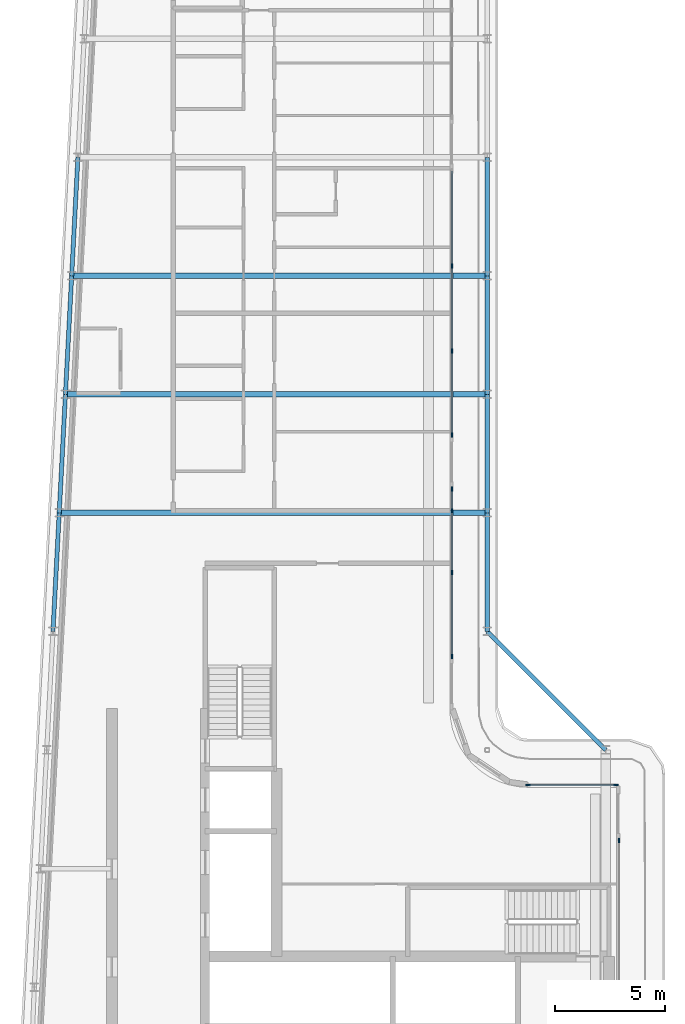
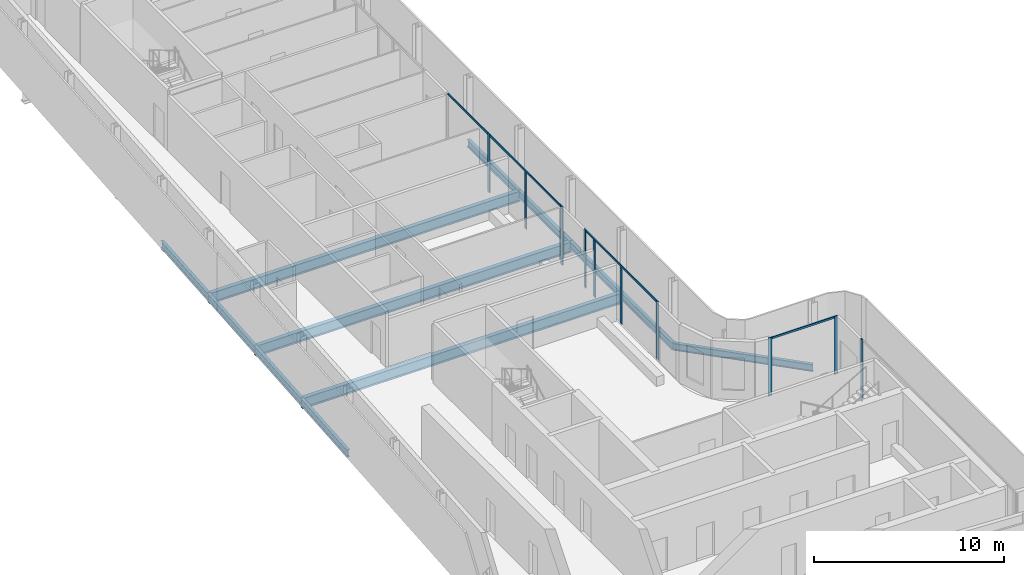
# One storey, part 5 of 18: 14 members, 12 beams, 5 elements without a shape of their own.
"""IFC4 building model written with IfcOpenShell, lengths in metres."""

from ifc_helpers import new_model, si_unit, direction, frame, origin, origin_2d, place, context, subcontext, project, spatial, rectangle, i_section, extrude, material, layer, layer_set, material_profile, profile_set, type_object, element, aggregate, save


model = new_model("IFC4")

# Units and contexts
model_context = context("Model", 3, precision=1e-05, world=origin(), true_north=direction((0.0, 1.0)))
body_context = subcontext(model_context, "Body", "Model", "MODEL_VIEW")
ifc_project = project(units=[si_unit("LENGTHUNIT", "METRE"), si_unit("AREAUNIT", "SQUARE_METRE"), si_unit("VOLUMEUNIT", "CUBIC_METRE"), si_unit("PLANEANGLEUNIT", "RADIAN"), si_unit("MASSUNIT", "GRAM", prefix="KILO")], contexts=[model_context])

# Site, building, storey
site_placement = place(None, origin())
site = spatial("IfcSite", under=ifc_project, at=site_placement, CompositionType="ELEMENT")
building_placement = place(site_placement, origin())
building = spatial("IfcBuilding", under=site, at=building_placement, Name="Kheshtan School and Residences Tower", CompositionType="ELEMENT")
storey_placement = place(building_placement, frame((0.0, 0.0, 361.699951171875)))
storey = spatial("IfcBuildingStorey", under=building, at=storey_placement, Name="L85", CompositionType="ELEMENT", Elevation=361.699951171875)

# Beams
ifc_material_1 = material(Name="Steel ASTM A992 Grade 50", Category="steel")
ifc_material_profile_1 = material_profile(ifc_material_1, i_section(OverallWidth=0.2529296875, OverallDepth=0.677978515625, WebThickness=0.01171875, FlangeThickness=0.016357421875, FilletRadius=0.0146484375, at=origin_2d()), Name="W690x125")
ifc_profile_set_1 = profile_set([ifc_material_profile_1], Name="Steel ASTM A992 Grade 50")
beam_type_1 = type_object("IfcBeamType", Name="Beam FB6 W690x125 ASTM A992 Grade 50", PredefinedType="BEAM", material=ifc_profile_set_1)
beam_1_placement = place(storey_placement, frame((47.60009765625, 67.199951171875, -0.489013671875), z_axis=(-1.0, 0.0, 0.0), x_axis=(0.0, -1.0, 0.0)))
element("IfcBeam", 1, at=beam_1_placement, inside=storey, type_object=beam_type_1, Name="Floor beam C085", PredefinedType="BEAM", context=body_context, shape_type="SweptSolid", body=[
    extrude(i_section(OverallWidth=0.2529296875, OverallDepth=0.677978515625, WebThickness=0.01171875, FlangeThickness=0.016357421875, FilletRadius=0.0146484375, at=origin_2d()), origin(), (0.0, 0.0, 1.0), 18.926025390625),
])
beam_2_placement = place(storey_placement, frame((47.60009765625, 56.39990234375, -0.489013671875), z_axis=(-1.0, 0.0, 0.0), x_axis=(0.0, -1.0, 0.0)))
element("IfcBeam", 2, at=beam_2_placement, inside=storey, type_object=beam_type_1, Name="Floor beam C081", PredefinedType="BEAM", context=body_context, shape_type="SweptSolid", body=[
    extrude(i_section(OverallWidth=0.2529296875, OverallDepth=0.677978515625, WebThickness=0.01171875, FlangeThickness=0.016357421875, FilletRadius=0.0146484375, at=origin_2d()), origin(), (0.0, 0.0, 1.0), 19.494140625),
])
beam_3_placement = place(storey_placement, frame((28.389892578125, 61.800048828125, -0.489013671875), z_axis=(1.0, 0.0, 0.0), x_axis=(0.0, 1.0, 0.0)))
element("IfcBeam", 3, at=beam_3_placement, inside=storey, type_object=beam_type_1, Name="Floor beam C082", PredefinedType="BEAM", context=body_context, shape_type="SweptSolid", body=[
    extrude(i_section(OverallWidth=0.2529296875, OverallDepth=0.677978515625, WebThickness=0.01171875, FlangeThickness=0.016357421875, FilletRadius=0.0146484375, at=origin_2d()), origin(), (0.0, 0.0, 1.0), 19.210205078125),
])
ifc_material_profile_2 = material_profile(ifc_material_1, i_section(OverallWidth=0.18994140625, OverallDepth=0.45703125, WebThickness=0.009033203125, FlangeThickness=0.014404296875, FilletRadius=0.01318359375, at=origin_2d()), Name="W460x74")
ifc_profile_set_2 = profile_set([ifc_material_profile_2], Name="Steel ASTM A992 Grade 50")
beam_type_2 = type_object("IfcBeamType", Name="Beam SP4 W460x74 ASTM A992 Grade 50", PredefinedType="BEAM", material=ifc_profile_set_2)
beam_4_placement = place(storey_placement, frame((47.60009765625, 72.60009765625, -0.37841796875), z_axis=(0.0, -1.0, 0.0), x_axis=(1.0, 0.0, 0.0)))
element("IfcBeam", 4, at=beam_4_placement, inside=storey, type_object=beam_type_2, Name="Spandrel beam C087-C085", PredefinedType="BEAM", context=body_context, shape_type="SweptSolid", body=[
    extrude(i_section(OverallWidth=0.18994140625, OverallDepth=0.45703125, WebThickness=0.009033203125, FlangeThickness=0.014404296875, FilletRadius=0.01318359375, at=origin_2d()), origin(), (0.0, 0.0, 1.0), 5.400146484375),
])
beam_5_placement = place(storey_placement, frame((47.60009765625, 67.199951171875, -0.37841796875), z_axis=(0.0, -1.0, 0.0), x_axis=(1.0, 0.0, 0.0)))
element("IfcBeam", 5, at=beam_5_placement, inside=storey, type_object=beam_type_2, Name="Spandrel beam C085-C083", PredefinedType="BEAM", context=body_context, shape_type="SweptSolid", body=[
    extrude(i_section(OverallWidth=0.18994140625, OverallDepth=0.45703125, WebThickness=0.009033203125, FlangeThickness=0.014404296875, FilletRadius=0.01318359375, at=origin_2d()), origin(), (0.0, 0.0, 1.0), 5.39990234375),
])
beam_6_placement = place(storey_placement, frame((47.60009765625, 61.800048828125, -0.37841796875), z_axis=(0.0, -1.0, 0.0), x_axis=(1.0, 0.0, 0.0)))
element("IfcBeam", 6, at=beam_6_placement, inside=storey, type_object=beam_type_2, Name="Spandrel beam C083-C081", PredefinedType="BEAM", context=body_context, shape_type="SweptSolid", body=[
    extrude(i_section(OverallWidth=0.18994140625, OverallDepth=0.45703125, WebThickness=0.009033203125, FlangeThickness=0.014404296875, FilletRadius=0.01318359375, at=origin_2d()), origin(), (0.0, 0.0, 1.0), 5.400146484375),
])
beam_7_placement = place(storey_placement, frame((47.60009765625, 56.39990234375, -0.37841796875), z_axis=(0.0, -1.0, 0.0), x_axis=(1.0, 0.0, 0.0)))
element("IfcBeam", 7, at=beam_7_placement, inside=storey, type_object=beam_type_2, Name="Spandrel beam C081-C079", PredefinedType="BEAM", context=body_context, shape_type="SweptSolid", body=[
    extrude(i_section(OverallWidth=0.18994140625, OverallDepth=0.45703125, WebThickness=0.009033203125, FlangeThickness=0.014404296875, FilletRadius=0.01318359375, at=origin_2d()), origin(), (0.0, 0.0, 1.0), 5.39990234375),
])
beam_8_placement = place(storey_placement, frame((47.60009765625, 51.0, -0.37841796875), z_axis=(0.707106781187, -0.707106781187, 0.0), x_axis=(0.707106781187, 0.707106781187, 0.0)))
element("IfcBeam", 8, at=beam_8_placement, inside=storey, type_object=beam_type_2, Name="Spandrel beam C079-C061", PredefinedType="BEAM", context=body_context, shape_type="SweptSolid", body=[
    extrude(i_section(OverallWidth=0.18994140625, OverallDepth=0.45703125, WebThickness=0.009033203125, FlangeThickness=0.014404296875, FilletRadius=0.01318359375, at=origin_2d()), origin(), (0.0, 0.0, 1.0), 7.63671875),
])
beam_9_placement = place(storey_placement, frame((27.822021484375, 51.0, -0.37841796875), z_axis=(0.05250906864, 0.998620447272, 0.0), x_axis=(-0.998620447272, 0.05250906864, 0.0)))
element("IfcBeam", 9, at=beam_9_placement, inside=storey, type_object=beam_type_2, Name="Spandrel beam C078-C080", PredefinedType="BEAM", context=body_context, shape_type="SweptSolid", body=[
    extrude(i_section(OverallWidth=0.18994140625, OverallDepth=0.45703125, WebThickness=0.009033203125, FlangeThickness=0.014404296875, FilletRadius=0.01318359375, at=origin_2d()), origin(), (0.0, 0.0, 1.0), 5.407470703125),
])
beam_10_placement = place(storey_placement, frame((28.10595703125, 56.39990234375, -0.37841796875), z_axis=(0.05250670125, 0.998620571751, 0.0), x_axis=(-0.998620571751, 0.05250670125, 0.0)))
element("IfcBeam", 10, at=beam_10_placement, inside=storey, type_object=beam_type_2, Name="Spandrel beam C080-C082", PredefinedType="BEAM", context=body_context, shape_type="SweptSolid", body=[
    extrude(i_section(OverallWidth=0.18994140625, OverallDepth=0.45703125, WebThickness=0.009033203125, FlangeThickness=0.014404296875, FilletRadius=0.01318359375, at=origin_2d()), origin(), (0.0, 0.0, 1.0), 5.40771484375),
])
beam_11_placement = place(storey_placement, frame((28.389892578125, 61.800048828125, -0.37841796875), z_axis=(0.052554093665, 0.998618078766, 0.0), x_axis=(-0.998618078766, 0.052554093665, 0.0)))
element("IfcBeam", 11, at=beam_11_placement, inside=storey, type_object=beam_type_2, Name="Spandrel beam C082-C084", PredefinedType="BEAM", context=body_context, shape_type="SweptSolid", body=[
    extrude(i_section(OverallWidth=0.18994140625, OverallDepth=0.45703125, WebThickness=0.009033203125, FlangeThickness=0.014404296875, FilletRadius=0.01318359375, at=origin_2d()), origin(), (0.0, 0.0, 1.0), 5.407470703125),
])
beam_12_placement = place(storey_placement, frame((28.674072265625, 67.199951171875, -0.37841796875), z_axis=(0.05250670125, 0.998620571751, 0.0), x_axis=(-0.998620571751, 0.05250670125, 0.0)))
element("IfcBeam", 12, at=beam_12_placement, inside=storey, type_object=beam_type_2, Name="Spandrel beam C084-C086", PredefinedType="BEAM", context=body_context, shape_type="SweptSolid", body=[
    extrude(i_section(OverallWidth=0.18994140625, OverallDepth=0.45703125, WebThickness=0.009033203125, FlangeThickness=0.014404296875, FilletRadius=0.01318359375, at=origin_2d()), origin(), (0.0, 0.0, 1.0), 5.40771484375),
])

# Curtain wall, members
ifc_material_2 = material(Name="Clear low-e glass in thermally broken aluminium frame", Category="aluminium")
ifc_layer_1 = layer(ifc_material_2, 0.199951171875)
ifc_layer_set_1 = layer_set([ifc_layer_1], Name="Curtain wall CW-B")
curtain_wall_type_1 = type_object("IfcCurtainWallType", Name="Curtain wall CW-B", PredefinedType="NOTDEFINED", material=ifc_layer_set_1)
curtain_wall_1_placement = place(storey_placement, origin())
curtain_wall_1 = element("IfcCurtainWall", 13, at=curtain_wall_1_placement, inside=storey, type_object=curtain_wall_type_1, Name="Curtain wall CWB12", PredefinedType="NOTDEFINED")
ifc_material_3 = material(Name="Thermally broken aluminium, dark bronze anodised", Category="aluminium")
ifc_material_profile_3 = material_profile(ifc_material_3, rectangle(XDim=0.06005859375, YDim=0.199951171875, at=origin_2d()), Name="CW-B mullion 60x200")
ifc_profile_set_3 = profile_set([ifc_material_profile_3], Name="Thermally broken aluminium, dark bronze anodised")
member_type_1 = type_object("IfcMemberType", Name="CW-B mullion 60x200", PredefinedType="MULLION", material=ifc_profile_set_3)
member_1_placement = place(storey_placement, frame((49.4599609375, 44.0, 0.0), z_axis=(0.0, 0.0, 1.0), x_axis=(0.0, 1.0, 0.0)))
member_1 = element("IfcMember", 14, at=member_1_placement, type_object=member_type_1, Name="CWB12 mullion 1", PredefinedType="MULLION", context=body_context, shape_type="SweptSolid", body=[
    extrude(rectangle(XDim=0.06005859375, YDim=0.199951171875, at=origin_2d()), origin(), (0.0, 0.0, 1.0), 3.75),
])
member_2_placement = place(storey_placement, frame((53.469970703125, 44.0, 0.0), z_axis=(0.0, 0.0, 1.0), x_axis=(0.0, 1.0, 0.0)))
member_2 = element("IfcMember", 15, at=member_2_placement, type_object=member_type_1, Name="CWB12 mullion 2", PredefinedType="MULLION", context=body_context, shape_type="SweptSolid", body=[
    extrude(rectangle(XDim=0.06005859375, YDim=0.199951171875, at=origin_2d()), origin(), (0.0, 0.0, 1.0), 3.75),
])
ifc_material_profile_4 = material_profile(ifc_material_3, rectangle(XDim=0.06005859375, YDim=0.1201171875, at=origin_2d()), Name="CW-B transom 60x120")
ifc_profile_set_4 = profile_set([ifc_material_profile_4], Name="Thermally broken aluminium, dark bronze anodised")
member_type_2 = type_object("IfcMemberType", Name="CW-B transom 60x120", PredefinedType="USERDEFINED", material=ifc_profile_set_4)
member_3_placement = place(storey_placement, frame((49.489990234375, 44.0, 3.68994140625), z_axis=(1.0, 0.0, 0.0), x_axis=(0.0, 1.0, 0.0)))
member_3 = element("IfcMember", 16, at=member_3_placement, type_object=member_type_2, Name="CWB12 transom 1", ObjectType="TRANSOM", PredefinedType="USERDEFINED", context=body_context, shape_type="SweptSolid", body=[
    extrude(rectangle(XDim=0.06005859375, YDim=0.1201171875, at=origin_2d()), origin(), (0.0, 0.0, 1.0), 3.949951171875),
])
aggregate(curtain_wall_1, [member_1, member_2, member_3])

# Curtain wall, member
ifc_layer_2 = layer(ifc_material_2, 0.199951171875)
ifc_layer_set_2 = layer_set([ifc_layer_2], Name="Curtain wall CW-L")
curtain_wall_type_2 = type_object("IfcCurtainWallType", Name="Curtain wall CW-L", PredefinedType="NOTDEFINED", material=ifc_layer_set_2)
curtain_wall_2_placement = place(storey_placement, origin())
curtain_wall_2 = element("IfcCurtainWall", 17, at=curtain_wall_2_placement, inside=storey, type_object=curtain_wall_type_2, Name="Curtain wall CWL8r", PredefinedType="NOTDEFINED")
ifc_material_profile_5 = material_profile(ifc_material_3, rectangle(XDim=0.06005859375, YDim=0.199951171875, at=origin_2d()), Name="CW-L mullion 60x200")
ifc_profile_set_5 = profile_set([ifc_material_profile_5], Name="Thermally broken aluminium, dark bronze anodised")
member_type_3 = type_object("IfcMemberType", Name="CW-L mullion 60x200", PredefinedType="MULLION", material=ifc_profile_set_5)
member_4_placement = place(storey_placement, frame((46.0, 67.64794921875, 0.0), z_axis=(0.0, 0.0, 1.0), x_axis=(1.0, 0.0, 0.0)))
member_4 = element("IfcMember", 18, at=member_4_placement, type_object=member_type_3, Name="CWL8r mullion 2", PredefinedType="MULLION", context=body_context, shape_type="SweptSolid", body=[
    extrude(rectangle(XDim=0.06005859375, YDim=0.199951171875, at=origin_2d()), origin(), (0.0, 0.0, 1.0), 3.75),
])

# Curtain wall, members
curtain_wall_3_placement = place(storey_placement, origin())
curtain_wall_3 = element("IfcCurtainWall", 19, at=curtain_wall_3_placement, inside=storey, type_object=curtain_wall_type_2, Name="Curtain wall CWL8", PredefinedType="NOTDEFINED")
member_5_placement = place(storey_placement, frame((46.0, 63.77099609375, 0.0), z_axis=(0.0, 0.0, 1.0), x_axis=(1.0, 0.0, 0.0)))
member_5 = element("IfcMember", 20, at=member_5_placement, type_object=member_type_3, Name="CWL8 mullion 2", PredefinedType="MULLION", context=body_context, shape_type="SweptSolid", body=[
    extrude(rectangle(XDim=0.06005859375, YDim=0.199951171875, at=origin_2d()), origin(), (0.0, 0.0, 1.0), 3.630126953125),
])
member_6_placement = place(storey_placement, frame((46.0, 59.9541015625, 0.0), z_axis=(0.0, 0.0, 1.0), x_axis=(1.0, 0.0, 0.0)))
member_6 = element("IfcMember", 21, at=member_6_placement, type_object=member_type_3, Name="CWL8 mullion 3", PredefinedType="MULLION", context=body_context, shape_type="SweptSolid", body=[
    extrude(rectangle(XDim=0.06005859375, YDim=0.199951171875, at=origin_2d()), origin(), (0.0, 0.0, 1.0), 3.75),
])

curtain_wall_4_placement = place(storey_placement, origin())
curtain_wall_4 = element("IfcCurtainWall", 22, at=curtain_wall_4_placement, inside=storey, type_object=curtain_wall_type_2, Name="Curtain wall CWL8c", PredefinedType="NOTDEFINED")
member_7_placement = place(storey_placement, frame((46.0, 57.493896484375, 0.0), z_axis=(0.0, 0.0, 1.0), x_axis=(1.0, 0.0, 0.0)))
member_7 = element("IfcMember", 23, at=member_7_placement, type_object=member_type_3, Name="CWL8c mullion 1", PredefinedType="MULLION", context=body_context, shape_type="SweptSolid", body=[
    extrude(rectangle(XDim=0.06005859375, YDim=0.199951171875, at=origin_2d()), origin(), (0.0, 0.0, 1.0), 3.75),
])
member_8_placement = place(storey_placement, frame((46.0, 56.5, 0.0), z_axis=(0.0, 0.0, 1.0), x_axis=(1.0, 0.0, 0.0)))
member_8 = element("IfcMember", 24, at=member_8_placement, type_object=member_type_3, Name="CWL8c mullion 2", PredefinedType="MULLION", context=body_context, shape_type="SweptSolid", body=[
    extrude(rectangle(XDim=0.06005859375, YDim=0.199951171875, at=origin_2d()), origin(), (0.0, 0.0, 1.0), 3.630126953125),
])
member_9_placement = place(storey_placement, frame((46.0, 53.677001953125, 0.0), z_axis=(0.0, 0.0, 1.0), x_axis=(1.0, 0.0, 0.0)))
member_9 = element("IfcMember", 25, at=member_9_placement, type_object=member_type_3, Name="CWL8c mullion 3", PredefinedType="MULLION", context=body_context, shape_type="SweptSolid", body=[
    extrude(rectangle(XDim=0.06005859375, YDim=0.199951171875, at=origin_2d()), origin(), (0.0, 0.0, 1.0), 3.630126953125),
])
member_10_placement = place(storey_placement, frame((46.0, 49.860107421875, 0.0), z_axis=(0.0, 0.0, 1.0), x_axis=(1.0, 0.0, 0.0)))
member_10 = element("IfcMember", 26, at=member_10_placement, type_object=member_type_3, Name="CWL8c mullion 4", PredefinedType="MULLION", context=body_context, shape_type="SweptSolid", body=[
    extrude(rectangle(XDim=0.06005859375, YDim=0.199951171875, at=origin_2d()), origin(), (0.0, 0.0, 1.0), 3.75),
])

# Curtain wall, member
curtain_wall_5_placement = place(storey_placement, origin())
curtain_wall_5 = element("IfcCurtainWall", 27, at=curtain_wall_5_placement, inside=storey, type_object=curtain_wall_type_2, Name="Curtain wall CWL13h", PredefinedType="NOTDEFINED")
member_11_placement = place(storey_placement, frame((53.60009765625, 41.469970703125, 0.0), z_axis=(0.0, 0.0, 1.0), x_axis=(1.0, 0.0, 0.0)))
member_11 = element("IfcMember", 28, at=member_11_placement, type_object=member_type_3, Name="CWL13h mullion 1", PredefinedType="MULLION", context=body_context, shape_type="SweptSolid", body=[
    extrude(rectangle(XDim=0.06005859375, YDim=0.199951171875, at=origin_2d()), origin(), (0.0, 0.0, 1.0), 3.75),
])
aggregate(curtain_wall_5, [member_11])

# Member
ifc_material_profile_6 = material_profile(ifc_material_3, rectangle(XDim=0.06005859375, YDim=0.1201171875, at=origin_2d()), Name="CW-L transom 60x120")
ifc_profile_set_6 = profile_set([ifc_material_profile_6], Name="Thermally broken aluminium, dark bronze anodised")
member_type_4 = type_object("IfcMemberType", Name="CW-L transom 60x120", PredefinedType="USERDEFINED", material=ifc_profile_set_6)
member_12_placement = place(storey_placement, frame((46.0, 71.951904296875, 3.68994140625), z_axis=(0.0, -1.0, 0.0), x_axis=(1.0, 0.0, 0.0)))
member_12 = element("IfcMember", 29, at=member_12_placement, type_object=member_type_4, Name="CWL8r transom 1", ObjectType="TRANSOM", PredefinedType="USERDEFINED", context=body_context, shape_type="SweptSolid", body=[
    extrude(rectangle(XDim=0.06005859375, YDim=0.1201171875, at=origin_2d()), origin(), (0.0, 0.0, 1.0), 4.27392578125),
])

aggregate(curtain_wall_2, [member_4, member_12])

member_13_placement = place(storey_placement, frame((46.0, 67.617919921875, 3.68994140625), z_axis=(0.0, -1.0, 0.0), x_axis=(1.0, 0.0, 0.0)))
member_13 = element("IfcMember", 30, at=member_13_placement, type_object=member_type_4, Name="CWL8 transom 1", ObjectType="TRANSOM", PredefinedType="USERDEFINED", context=body_context, shape_type="SweptSolid", body=[
    extrude(rectangle(XDim=0.06005859375, YDim=0.1201171875, at=origin_2d()), origin(), (0.0, 0.0, 1.0), 7.634033203125),
])

aggregate(curtain_wall_3, [member_5, member_6, member_13])

member_14_placement = place(storey_placement, frame((46.0, 57.464111328125, 3.68994140625), z_axis=(0.0, -1.0, 0.0), x_axis=(1.0, 0.0, 0.0)))
member_14 = element("IfcMember", 31, at=member_14_placement, type_object=member_type_4, Name="CWL8c transom 1", ObjectType="TRANSOM", PredefinedType="USERDEFINED", context=body_context, shape_type="SweptSolid", body=[
    extrude(rectangle(XDim=0.06005859375, YDim=0.1201171875, at=origin_2d()), origin(), (0.0, 0.0, 1.0), 7.57421875),
])

aggregate(curtain_wall_4, [member_7, member_8, member_9, member_10, member_14])

save(model, "model.ifc")
